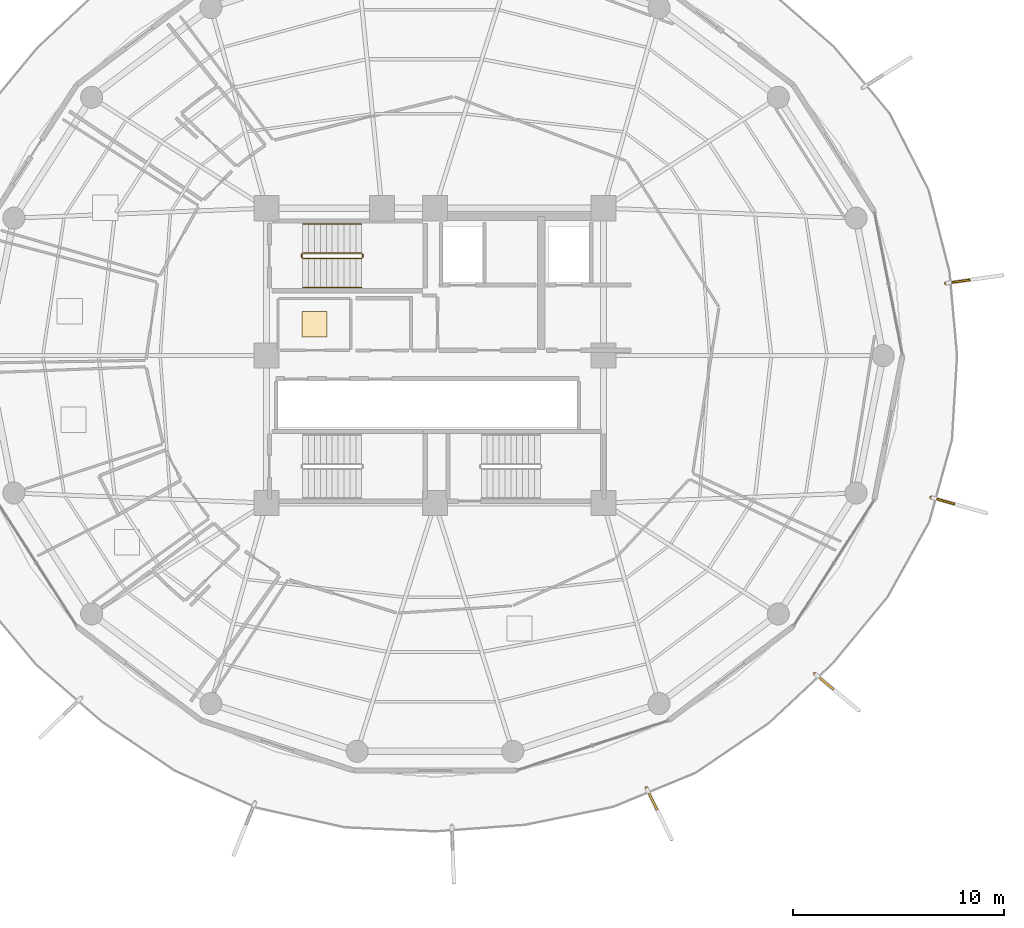
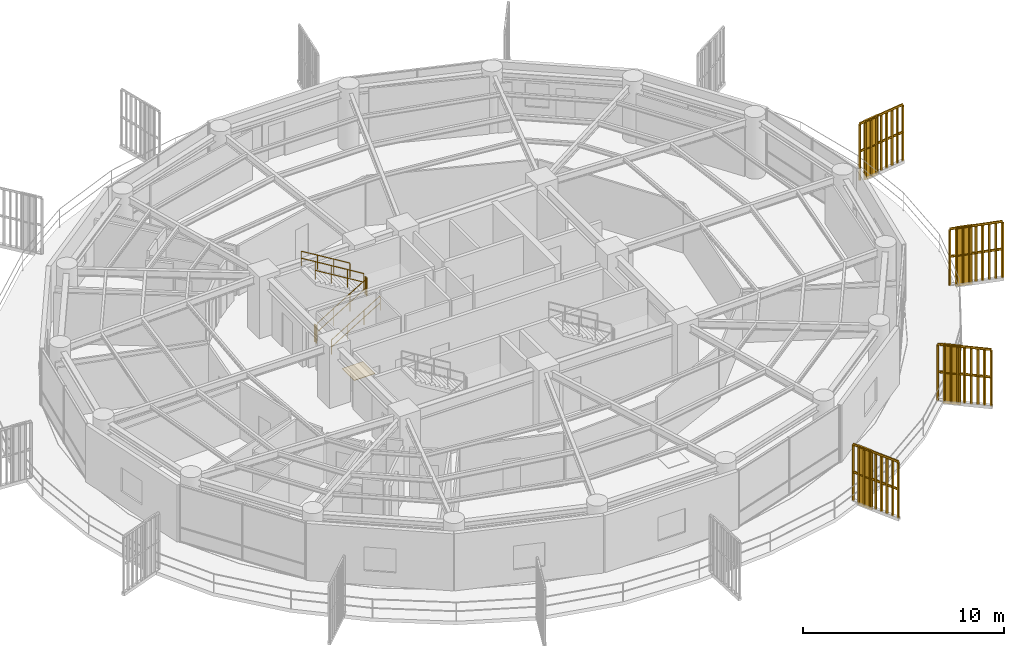
# One storey, part 29 of 30: 10 railings, 4 shading devices, 1 covering.
"""IFC4 building model written with IfcOpenShell, lengths in metres."""

import ifcopenshell
import ifcopenshell.guid

model = None  # the IFC model being written
_history = None  # IfcOwnerHistory: only IFC2X3 demands one
_inside = {}  # id of a spatial element -> (the spatial element, [elements in it])
_under = {}  # id of a project, library or spatial element -> (it, [spatial elements below it])
_declared = {}  # id of a project -> (the project, [libraries it declares])
_typed = {}  # id of a type object -> (the type object, [elements of that type])
_made_of = {}  # id of a material, layer set ... -> (it, [elements and type objects made of it])


def new_model(schema):
    """Start an empty IFC model of exactly this schema.

    Asked for "IFC4X3", IfcOpenShell would pick the latest addendum, in which some entities
    have other attributes; the version numbers below select the first issue.
    IFC2X3 requires an IfcOwnerHistory on every rooted entity: one is made here for all.
    """
    global model, _history
    if schema == "IFC4X3":
        model = ifcopenshell.file(schema_version=(4, 3, 0, 0))
    else:
        model = ifcopenshell.file(schema=schema)
    _inside.clear()
    _under.clear()
    _declared.clear()
    _typed.clear()
    _made_of.clear()
    _history = None
    if model.schema == "IFC2X3":
        org = make("IfcOrganization", Name="unknown")
        user = make(
            "IfcPersonAndOrganization",
            ThePerson=make("IfcPerson", FamilyName="unknown"),
            TheOrganization=org,
        )
        app = make(
            "IfcApplication",
            ApplicationDeveloper=org,
            Version="unknown",
            ApplicationFullName="unknown",
            ApplicationIdentifier="unknown",
        )
        _history = make(
            "IfcOwnerHistory",
            OwningUser=user,
            OwningApplication=app,
            ChangeAction="ADDED",
            CreationDate=0,
        )
    return model


def make(cls, **values):
    """One entity of the class cls with the attributes given. An attribute that is None is left unset."""
    return model.create_entity(
        cls, **{name: value for name, value in values.items() if value is not None}
    )


def rooted(cls, **values):
    """An entity with a GlobalId (a new one), such as an element, a storey or a relation."""
    return make(cls, GlobalId=ifcopenshell.guid.new(), OwnerHistory=_history, **values)


def si_unit(unit_type, name, prefix=None):
    """IfcSIUnit, for example si_unit("LENGTHUNIT", "METRE", prefix="MILLI")."""
    return make("IfcSIUnit", UnitType=unit_type, Prefix=prefix, Name=name)


def assignment(units):
    """IfcUnitAssignment: the units of a project."""
    return None if units is None else make("IfcUnitAssignment", Units=units)


def point(xyz):
    """IfcCartesianPoint."""
    return None if xyz is None else make("IfcCartesianPoint", Coordinates=xyz)


def direction(xyz):
    """IfcDirection."""
    return None if xyz is None else make("IfcDirection", DirectionRatios=xyz)


def frame(location, z_axis=None, x_axis=None):
    """IfcAxis2Placement3D, a coordinate frame: its origin and axes. An axis left out is left unset."""
    return make(
        "IfcAxis2Placement3D",
        Location=point(location),
        Axis=direction(z_axis),
        RefDirection=direction(x_axis),
    )


def frame_2d(location, x_axis=None):
    """IfcAxis2Placement2D, a coordinate frame in the plane: its origin and x axis."""
    return make(
        "IfcAxis2Placement2D", Location=point(location), RefDirection=direction(x_axis)
    )


def origin():
    """The frame at (0, 0, 0) with its axes left unset."""
    return frame((0.0, 0.0, 0.0))


def origin_2d():
    """The frame at (0, 0) in the plane with its x axis left unset."""
    return frame_2d((0.0, 0.0))


def place(relative_to, where):
    """IfcLocalPlacement: puts the frame where relative to a parent placement (None: the world)."""
    return make(
        "IfcLocalPlacement", PlacementRelTo=relative_to, RelativePlacement=where
    )


def context(
    kind, dimensions, precision=None, world=None, true_north=None, identifier=None
):
    """IfcGeometricRepresentationContext, for example the 3D "Model" context."""
    return make(
        "IfcGeometricRepresentationContext",
        ContextIdentifier=identifier,
        ContextType=kind,
        CoordinateSpaceDimension=dimensions,
        Precision=precision,
        WorldCoordinateSystem=world,
        TrueNorth=true_north,
    )


def subcontext(parent, identifier, kind, view, scale=None):
    """IfcGeometricRepresentationSubContext, for example "Body" below "Model"."""
    return make(
        "IfcGeometricRepresentationSubContext",
        ContextIdentifier=identifier,
        ContextType=kind,
        ParentContext=parent,
        TargetScale=scale,
        TargetView=view,
    )


def project(units=None, contexts=None):
    """IfcProject with its units and contexts."""
    return rooted(
        "IfcProject",
        Name="project",
        RepresentationContexts=contexts,
        UnitsInContext=assignment(units),
    )


def spatial(cls, under=None, at=None, **own):
    """A site, building, storey or space (cls), placed at a placement, below another one or the project."""
    s = rooted(cls, ObjectPlacement=at, **own)
    if under is not None:
        _under.setdefault(under.id(), (under, []))[1].append(s)
    return s


def polyline(points):
    """IfcPolyline through the points."""
    return make("IfcPolyline", Points=[point(p) for p in points])


def profile(cls, at=None, kind="AREA", **sizes):
    """A parametric profile (cls). Its sizes go by their IFC names, for example OverallWidth=200.0."""
    return make(cls, ProfileType=kind, Position=at, **sizes)


def rectangle(**sizes):
    """IfcRectangleProfileDef."""
    return profile("IfcRectangleProfileDef", **sizes)


def outline(outer, holes=None, kind="AREA"):
    """IfcArbitraryClosedProfileDef: a profile drawn as a closed curve; with holes, ...WithVoids."""
    if holes is None:
        return make("IfcArbitraryClosedProfileDef", ProfileType=kind, OuterCurve=outer)
    return make(
        "IfcArbitraryProfileDefWithVoids",
        ProfileType=kind,
        OuterCurve=outer,
        InnerCurves=holes,
    )


def extrude(swept, where, along, depth):
    """IfcExtrudedAreaSolid: the profile swept, set in the frame where, extruded along a direction by depth."""
    return make(
        "IfcExtrudedAreaSolid",
        SweptArea=swept,
        Position=where,
        ExtrudedDirection=direction(along),
        Depth=depth,
    )


def shape(context_of_items, identifier, shape_type, items):
    """IfcShapeRepresentation: the items that make up one representation, for example the "Body"."""
    return make(
        "IfcShapeRepresentation",
        ContextOfItems=context_of_items,
        RepresentationIdentifier=identifier,
        RepresentationType=shape_type,
        Items=items,
    )


def source(mapping_origin, context_of_items, identifier, shape_type, items):
    """IfcRepresentationMap: a shape defined once, which mapped items show again and again."""
    return make(
        "IfcRepresentationMap",
        MappingOrigin=mapping_origin,
        MappedRepresentation=shape(context_of_items, identifier, shape_type, items),
    )


def transform(
    local_origin,
    x_axis=None,
    y_axis=None,
    z_axis=None,
    scale=None,
    scale2=None,
    scale3=None,
    uniform=True,
):
    """IfcCartesianTransformationOperator3D, or its non-uniform kind. x_axis, y_axis, z_axis: its Axis1, 2, 3."""
    if uniform:
        return make(
            "IfcCartesianTransformationOperator3D",
            Axis1=direction(x_axis),
            Axis2=direction(y_axis),
            LocalOrigin=point(local_origin),
            Scale=scale,
            Axis3=direction(z_axis),
        )
    return make(
        "IfcCartesianTransformationOperator3DnonUniform",
        Axis1=direction(x_axis),
        Axis2=direction(y_axis),
        LocalOrigin=point(local_origin),
        Scale=scale,
        Axis3=direction(z_axis),
        Scale2=scale2,
        Scale3=scale3,
    )


def mapped(mapping_source, mapping_target):
    """IfcMappedItem: shows the shape of a source again, moved by a transform."""
    return make(
        "IfcMappedItem", MappingSource=mapping_source, MappingTarget=mapping_target
    )


def material(Name=None, Category=None):
    """IfcMaterial."""
    return make("IfcMaterial", Name=Name, Category=Category)


def layer(
    of_material, thickness, ventilated=None, Name=None, Category=None, Priority=None
):
    """IfcMaterialLayer: one layer of a wall or slab, of a material (None: an air gap)."""
    return make(
        "IfcMaterialLayer",
        Material=of_material,
        LayerThickness=thickness,
        IsVentilated=ventilated,
        Name=Name,
        Category=Category,
        Priority=Priority,
    )


def layer_set(layers, Name=None):
    """IfcMaterialLayerSet."""
    return make("IfcMaterialLayerSet", MaterialLayers=layers, LayerSetName=Name)


def made_of(thing, what):
    """Note that an element or type object is made of a material, layer set ...; save() writes the relation."""
    if what is not None:
        _made_of.setdefault(what.id(), (what, []))[1].append(thing)
    return thing


def type_object(cls, material=None, **own):
    """A type object (cls), such as IfcWallType, which elements share."""
    return made_of(rooted(cls, **own), material)


def element(
    cls,
    number,
    at=None,
    inside=None,
    cuts=None,
    type_object=None,
    material=None,
    context=None,
    identifier="Body",
    shape_type=None,
    held_by="IfcProductDefinitionShape",
    body=None,
    shapes=None,
    **own,
):
    """One element of the class cls, such as IfcWall. Its Tag is "e" and its number.

    at: its placement. inside: the storey or other place that contains it. cuts: it is an
    opening in that element (IfcRelVoidsElement). A single representation is given by context,
    identifier, shape_type and body (its items); several are given by shapes. held_by: the class
    of the entity that holds the representations. save() writes the other relations.
    """
    e = rooted(cls, Tag="e%d" % number, ObjectPlacement=at, **own)
    if body is not None:
        shapes = [shape(context, identifier, shape_type, body)]
    if shapes is not None:
        e.Representation = make(held_by, Representations=shapes)
    if inside is not None:
        _inside.setdefault(inside.id(), (inside, []))[1].append(e)
    if cuts is not None:
        rooted(
            "IfcRelVoidsElement", RelatingBuildingElement=cuts, RelatedOpeningElement=e
        )
    if type_object is not None:
        _typed.setdefault(type_object.id(), (type_object, []))[1].append(e)
    return made_of(e, material)


def aggregate(whole, parts):
    """IfcRelAggregates: a whole, such as a stair, and the parts it consists of."""
    return rooted("IfcRelAggregates", RelatingObject=whole, RelatedObjects=parts)


def save(model, path):
    """Write the relations noted so far, then the file.

    IfcRelAggregates (storeys below a building ...), IfcRelContainedInSpatialStructure (elements
    in a storey), IfcRelDefinesByType, IfcRelAssociatesMaterial and IfcRelDeclares: one each for
    every whole, place, type object, material and project.
    """
    for whole, parts in _under.values():
        aggregate(whole, parts)
    for where, things in _inside.values():
        rooted(
            "IfcRelContainedInSpatialStructure",
            RelatedElements=things,
            RelatingStructure=where,
        )
    for kind, things in _typed.values():
        rooted("IfcRelDefinesByType", RelatedObjects=things, RelatingType=kind)
    for what, things in _made_of.values():
        rooted("IfcRelAssociatesMaterial", RelatedObjects=things, RelatingMaterial=what)
    for by, libraries in _declared.values():
        rooted("IfcRelDeclares", RelatingContext=by, RelatedDefinitions=libraries)
    model.write(path)


model = new_model("IFC4")

# Units and contexts
model_context = context("Model", 3, precision=1e-05, world=origin(), true_north=direction((0.0, 1.0)))
body_context = subcontext(model_context, "Body", "Model", "MODEL_VIEW")
ifc_project = project(units=[si_unit("LENGTHUNIT", "METRE"), si_unit("AREAUNIT", "SQUARE_METRE"), si_unit("VOLUMEUNIT", "CUBIC_METRE"), si_unit("PLANEANGLEUNIT", "RADIAN"), si_unit("MASSUNIT", "GRAM", prefix="KILO")], contexts=[model_context])

# Site, building, storey
site_placement = place(None, origin())
site = spatial("IfcSite", under=ifc_project, at=site_placement, CompositionType="ELEMENT")
building_placement = place(site_placement, origin())
building = spatial("IfcBuilding", under=site, at=building_placement, Name="Kelanora Arch Commons", CompositionType="ELEMENT")
storey_placement = place(building_placement, frame((0.0, 0.0, 211.949951171875)))
storey = spatial("IfcBuildingStorey", under=building, at=storey_placement, Name="L54", CompositionType="ELEMENT", Elevation=211.949951171875)

# Railings
ifc_material_1 = material(Name="Anodised bronze vertical shading fin rib assembly")
railing_type_1 = type_object("IfcRailingType", Name="RAIL-FIN-BRZ", PredefinedType="BALUSTRADE", material=ifc_material_1)
railing_1_placement = place(storey_placement, frame((92.0380859375, 42.894287109375, -0.02001953125)))
element("IfcRailing", 1, at=railing_1_placement, inside=storey, type_object=railing_type_1, Name="Sweeping Bronze Vertical Fin Blade L54-00", PredefinedType="BALUSTRADE", context=body_context, shape_type="SweptSolid", body=[
    extrude(outline(polyline([(0.06982421875, 0.0), (0.034912109375, 0.060546875), (-0.034912109375, 0.060546875), (-0.06982421875, 0.0), (-0.034912109375, -0.060546875), (0.034912109375, -0.060546875), (0.06982421875, 0.0)])), frame((0.0, 0.0, 3.419921875), z_axis=(0.766616367494, -0.642105400297, 0.0), x_axis=(0.642105400297, 0.766616367494, 0.0)), (0.0, 0.0, 1.0), 2.709716796875),
    extrude(outline(polyline([(0.06982421875, 0.0), (0.034912109375, 0.060546875), (-0.034912109375, 0.060546875), (-0.06982421875, 0.0), (-0.034912109375, -0.060546875), (0.034912109375, -0.060546875), (0.06982421875, 0.0)])), frame((0.0, 0.0, 1.7451171875), z_axis=(0.766616367494, -0.642105400297, 0.0), x_axis=(0.642105400297, 0.766616367494, 0.0)), (0.0, 0.0, 1.0), 2.709716796875),
    extrude(outline(polyline([(0.080078125, 0.0), (0.0400390625, 0.0693359375), (-0.0400390625, 0.0693359375), (-0.080078125, 0.0), (-0.0400390625, -0.0693359375), (0.0400390625, -0.0693359375), (0.080078125, 0.0)])), origin(), (0.0, 0.0, 1.0), 3.35009765625),
    extrude(outline(polyline([(0.080078125, 0.0), (0.0400390625, 0.0693359375), (-0.0400390625, 0.0693359375), (-0.080078125, 0.0), (-0.0400390625, -0.0693359375), (0.0400390625, -0.0693359375), (0.080078125, 0.0)])), frame((0.259765625, -0.217529296875, 0.0)), (0.0, 0.0, 1.0), 3.35009765625),
    extrude(outline(polyline([(0.080078125, 0.0), (0.0400390625, 0.0693359375), (-0.0400390625, 0.0693359375), (-0.080078125, 0.0), (-0.0400390625, -0.0693359375), (0.0400390625, -0.0693359375), (0.080078125, 0.0)])), frame((0.519287109375, -0.43505859375, 0.0)), (0.0, 0.0, 1.0), 3.35009765625),
    extrude(outline(polyline([(0.080078125, 0.0), (0.0400390625, 0.0693359375), (-0.0400390625, 0.0693359375), (-0.080078125, 0.0), (-0.0400390625, -0.0693359375), (0.0400390625, -0.0693359375), (0.080078125, 0.0)])), frame((0.779052734375, -0.652587890625, 0.0)), (0.0, 0.0, 1.0), 3.35009765625),
    extrude(outline(polyline([(0.080078125, 0.0), (0.0400390625, 0.0693359375), (-0.0400390625, 0.0693359375), (-0.080078125, 0.0), (-0.0400390625, -0.0693359375), (0.0400390625, -0.0693359375), (0.080078125, 0.0)])), frame((1.03857421875, -0.8701171875, 0.0)), (0.0, 0.0, 1.0), 3.35009765625),
    extrude(outline(polyline([(0.080078125, 0.0), (0.0400390625, 0.0693359375), (-0.0400390625, 0.0693359375), (-0.080078125, 0.0), (-0.0400390625, -0.0693359375), (0.0400390625, -0.0693359375), (0.080078125, 0.0)])), frame((1.29833984375, -1.08740234375, 0.0)), (0.0, 0.0, 1.0), 3.35009765625),
    extrude(outline(polyline([(0.080078125, 0.0), (0.0400390625, 0.0693359375), (-0.0400390625, 0.0693359375), (-0.080078125, 0.0), (-0.0400390625, -0.0693359375), (0.0400390625, -0.0693359375), (0.080078125, 0.0)])), frame((1.55810546875, -1.304931640625, 0.0)), (0.0, 0.0, 1.0), 3.35009765625),
    extrude(outline(polyline([(0.080078125, 0.0), (0.0400390625, 0.0693359375), (-0.0400390625, 0.0693359375), (-0.080078125, 0.0), (-0.0400390625, -0.0693359375), (0.0400390625, -0.0693359375), (0.080078125, 0.0)])), frame((1.817626953125, -1.5224609375, 0.0)), (0.0, 0.0, 1.0), 3.35009765625),
    extrude(outline(polyline([(0.080078125, 0.0), (0.0400390625, 0.0693359375), (-0.0400390625, 0.0693359375), (-0.080078125, 0.0), (-0.0400390625, -0.0693359375), (0.0400390625, -0.0693359375), (0.080078125, 0.0)])), frame((2.077392578125, -1.739990234375, 0.0)), (0.0, 0.0, 1.0), 3.35009765625),
])
railing_2_placement = place(storey_placement, frame((97.558349609375, 51.26953125, -0.02001953125)))
element("IfcRailing", 2, at=railing_2_placement, inside=storey, type_object=railing_type_1, Name="Sweeping Bronze Vertical Fin Blade L54-01", PredefinedType="BALUSTRADE", context=body_context, shape_type="SweptSolid", body=[
    extrude(outline(polyline([(0.06982421875, 0.0), (0.034912109375, 0.060546875), (-0.034912109375, 0.060546875), (-0.06982421875, 0.0), (-0.034912109375, -0.060546875), (0.034912109375, -0.060546875), (0.06982421875, 0.0)])), frame((0.0, 0.0, 3.419921875), z_axis=(0.961534145884, -0.274685431538, 0.0), x_axis=(0.274685431538, 0.961534145884, 0.0)), (0.0, 0.0, 1.0), 2.7099609375),
    extrude(outline(polyline([(0.06982421875, 0.0), (0.034912109375, 0.060546875), (-0.034912109375, 0.060546875), (-0.06982421875, 0.0), (-0.034912109375, -0.060546875), (0.034912109375, -0.060546875), (0.06982421875, 0.0)])), frame((0.0, 0.0, 1.7451171875), z_axis=(0.961534145884, -0.274685431538, 0.0), x_axis=(0.274685431538, 0.961534145884, 0.0)), (0.0, 0.0, 1.0), 2.7099609375),
    extrude(outline(polyline([(0.080078125, 0.0), (0.0400390625, 0.0693359375), (-0.0400390625, 0.0693359375), (-0.080078125, 0.0), (-0.0400390625, -0.0693359375), (0.0400390625, -0.0693359375), (0.080078125, 0.0)])), origin(), (0.0, 0.0, 1.0), 3.35009765625),
    extrude(outline(polyline([(0.080078125, 0.0), (0.0400390625, 0.0693359375), (-0.0400390625, 0.0693359375), (-0.080078125, 0.0), (-0.0400390625, -0.0693359375), (0.0400390625, -0.0693359375), (0.080078125, 0.0)])), frame((0.32568359375, -0.093017578125, 0.0)), (0.0, 0.0, 1.0), 3.35009765625),
    extrude(outline(polyline([(0.080078125, 0.0), (0.0400390625, 0.0693359375), (-0.0400390625, 0.0693359375), (-0.080078125, 0.0), (-0.0400390625, -0.0693359375), (0.0400390625, -0.0693359375), (0.080078125, 0.0)])), frame((0.6513671875, -0.18603515625, 0.0)), (0.0, 0.0, 1.0), 3.35009765625),
    extrude(outline(polyline([(0.080078125, 0.0), (0.0400390625, 0.0693359375), (-0.0400390625, 0.0693359375), (-0.080078125, 0.0), (-0.0400390625, -0.0693359375), (0.0400390625, -0.0693359375), (0.080078125, 0.0)])), frame((0.97705078125, -0.279052734375, 0.0)), (0.0, 0.0, 1.0), 3.35009765625),
    extrude(outline(polyline([(0.080078125, 0.0), (0.0400390625, 0.0693359375), (-0.0400390625, 0.0693359375), (-0.080078125, 0.0), (-0.0400390625, -0.0693359375), (0.0400390625, -0.0693359375), (0.080078125, 0.0)])), frame((1.302734375, -0.3720703125, 0.0)), (0.0, 0.0, 1.0), 3.35009765625),
    extrude(outline(polyline([(0.080078125, 0.0), (0.0400390625, 0.0693359375), (-0.0400390625, 0.0693359375), (-0.080078125, 0.0), (-0.0400390625, -0.0693359375), (0.0400390625, -0.0693359375), (0.080078125, 0.0)])), frame((1.628662109375, -0.46533203125, 0.0)), (0.0, 0.0, 1.0), 3.35009765625),
    extrude(outline(polyline([(0.080078125, 0.0), (0.0400390625, 0.0693359375), (-0.0400390625, 0.0693359375), (-0.080078125, 0.0), (-0.0400390625, -0.0693359375), (0.0400390625, -0.0693359375), (0.080078125, 0.0)])), frame((1.954345703125, -0.558349609375, 0.0)), (0.0, 0.0, 1.0), 3.35009765625),
    extrude(outline(polyline([(0.080078125, 0.0), (0.0400390625, 0.0693359375), (-0.0400390625, 0.0693359375), (-0.080078125, 0.0), (-0.0400390625, -0.0693359375), (0.0400390625, -0.0693359375), (0.080078125, 0.0)])), frame((2.280029296875, -0.6513671875, 0.0)), (0.0, 0.0, 1.0), 3.35009765625),
    extrude(outline(polyline([(0.080078125, 0.0), (0.0400390625, 0.0693359375), (-0.0400390625, 0.0693359375), (-0.080078125, 0.0), (-0.0400390625, -0.0693359375), (0.0400390625, -0.0693359375), (0.080078125, 0.0)])), frame((2.605712890625, -0.744384765625, 0.0)), (0.0, 0.0, 1.0), 3.35009765625),
])
railing_3_placement = place(storey_placement, frame((98.255615234375, 61.43310546875, -0.02001953125)))
element("IfcRailing", 3, at=railing_3_placement, inside=storey, type_object=railing_type_1, Name="Sweeping Bronze Vertical Fin Blade L54-02", PredefinedType="BALUSTRADE", context=body_context, shape_type="SweptSolid", body=[
    extrude(outline(polyline([(0.06982421875, 0.0), (0.034912109375, 0.060546875), (-0.034912109375, 0.060546875), (-0.06982421875, 0.0), (-0.034912109375, -0.060546875), (0.034912109375, -0.060546875), (0.06982421875, 0.0)])), frame((0.0, 0.0, 3.419921875), z_axis=(0.990137806062, 0.140096841531, 0.0), x_axis=(-0.140096841531, 0.990137806062, 0.0)), (0.0, 0.0, 1.0), 2.709716796875),
    extrude(outline(polyline([(0.06982421875, 0.0), (0.034912109375, 0.060546875), (-0.034912109375, 0.060546875), (-0.06982421875, 0.0), (-0.034912109375, -0.060546875), (0.034912109375, -0.060546875), (0.06982421875, 0.0)])), frame((0.0, 0.0, 1.7451171875), z_axis=(0.990137806062, 0.140096841531, 0.0), x_axis=(-0.140096841531, 0.990137806062, 0.0)), (0.0, 0.0, 1.0), 2.709716796875),
    extrude(outline(polyline([(0.080078125, 0.0), (0.0400390625, 0.0693359375), (-0.0400390625, 0.0693359375), (-0.080078125, 0.0), (-0.0400390625, -0.0693359375), (0.0400390625, -0.0693359375), (0.080078125, 0.0)])), origin(), (0.0, 0.0, 1.0), 3.35009765625),
    extrude(outline(polyline([(0.080078125, 0.0), (0.0400390625, 0.0693359375), (-0.0400390625, 0.0693359375), (-0.080078125, 0.0), (-0.0400390625, -0.0693359375), (0.0400390625, -0.0693359375), (0.080078125, 0.0)])), frame((0.33544921875, 0.04736328125, 0.0)), (0.0, 0.0, 1.0), 3.35009765625),
    extrude(outline(polyline([(0.080078125, 0.0), (0.0400390625, 0.0693359375), (-0.0400390625, 0.0693359375), (-0.080078125, 0.0), (-0.0400390625, -0.0693359375), (0.0400390625, -0.0693359375), (0.080078125, 0.0)])), frame((0.6708984375, 0.094970703125, 0.0)), (0.0, 0.0, 1.0), 3.35009765625),
    extrude(outline(polyline([(0.080078125, 0.0), (0.0400390625, 0.0693359375), (-0.0400390625, 0.0693359375), (-0.080078125, 0.0), (-0.0400390625, -0.0693359375), (0.0400390625, -0.0693359375), (0.080078125, 0.0)])), frame((1.006103515625, 0.142333984375, 0.0)), (0.0, 0.0, 1.0), 3.35009765625),
    extrude(outline(polyline([(0.080078125, 0.0), (0.0400390625, 0.0693359375), (-0.0400390625, 0.0693359375), (-0.080078125, 0.0), (-0.0400390625, -0.0693359375), (0.0400390625, -0.0693359375), (0.080078125, 0.0)])), frame((1.341552734375, 0.18994140625, 0.0)), (0.0, 0.0, 1.0), 3.35009765625),
    extrude(outline(polyline([(0.080078125, 0.0), (0.0400390625, 0.0693359375), (-0.0400390625, 0.0693359375), (-0.080078125, 0.0), (-0.0400390625, -0.0693359375), (0.0400390625, -0.0693359375), (0.080078125, 0.0)])), frame((1.677001953125, 0.2373046875, 0.0)), (0.0, 0.0, 1.0), 3.35009765625),
    extrude(outline(polyline([(0.080078125, 0.0), (0.0400390625, 0.0693359375), (-0.0400390625, 0.0693359375), (-0.080078125, 0.0), (-0.0400390625, -0.0693359375), (0.0400390625, -0.0693359375), (0.080078125, 0.0)])), frame((2.01220703125, 0.28466796875, 0.0)), (0.0, 0.0, 1.0), 3.35009765625),
    extrude(outline(polyline([(0.080078125, 0.0), (0.0400390625, 0.0693359375), (-0.0400390625, 0.0693359375), (-0.080078125, 0.0), (-0.0400390625, -0.0693359375), (0.0400390625, -0.0693359375), (0.080078125, 0.0)])), frame((2.34765625, 0.332275390625, 0.0)), (0.0, 0.0, 1.0), 3.35009765625),
    extrude(outline(polyline([(0.080078125, 0.0), (0.0400390625, 0.0693359375), (-0.0400390625, 0.0693359375), (-0.080078125, 0.0), (-0.0400390625, -0.0693359375), (0.0400390625, -0.0693359375), (0.080078125, 0.0)])), frame((2.68310546875, 0.379638671875, 0.0)), (0.0, 0.0, 1.0), 3.35009765625),
])
railing_4_placement = place(storey_placement, frame((84.0390625, 37.4677734375, -0.02001953125)))
element("IfcRailing", 4, at=railing_4_placement, inside=storey, type_object=railing_type_1, Name="Sweeping Bronze Vertical Fin Blade L54-14", PredefinedType="BALUSTRADE", context=body_context, shape_type="SweptSolid", body=[
    extrude(outline(polyline([(0.06982421875, 0.0), (0.034912109375, 0.060546875), (-0.034912109375, 0.060546875), (-0.06982421875, 0.0), (-0.034912109375, -0.060546875), (0.034912109375, -0.060546875), (0.06982421875, 0.0)])), frame((0.0, 0.0, 3.419921875), z_axis=(0.4392682986, -0.898355921584, 0.0), x_axis=(0.898355921584, 0.4392682986, 0.0)), (0.0, 0.0, 1.0), 2.7099609375),
    extrude(outline(polyline([(0.06982421875, 0.0), (0.034912109375, 0.060546875), (-0.034912109375, 0.060546875), (-0.06982421875, 0.0), (-0.034912109375, -0.060546875), (0.034912109375, -0.060546875), (0.06982421875, 0.0)])), frame((0.0, 0.0, 1.7451171875), z_axis=(0.4392682986, -0.898355921584, 0.0), x_axis=(0.898355921584, 0.4392682986, 0.0)), (0.0, 0.0, 1.0), 2.7099609375),
    extrude(outline(polyline([(0.080078125, 0.0), (0.0400390625, 0.0693359375), (-0.0400390625, 0.0693359375), (-0.080078125, 0.0), (-0.0400390625, -0.0693359375), (0.0400390625, -0.0693359375), (0.080078125, 0.0)])), origin(), (0.0, 0.0, 1.0), 3.35009765625),
    extrude(outline(polyline([(0.080078125, 0.0), (0.0400390625, 0.0693359375), (-0.0400390625, 0.0693359375), (-0.080078125, 0.0), (-0.0400390625, -0.0693359375), (0.0400390625, -0.0693359375), (0.080078125, 0.0)])), frame((0.14892578125, -0.30419921875, 0.0)), (0.0, 0.0, 1.0), 3.35009765625),
    extrude(outline(polyline([(0.080078125, 0.0), (0.0400390625, 0.0693359375), (-0.0400390625, 0.0693359375), (-0.080078125, 0.0), (-0.0400390625, -0.0693359375), (0.0400390625, -0.0693359375), (0.080078125, 0.0)])), frame((0.297607421875, -0.608642578125, 0.0)), (0.0, 0.0, 1.0), 3.35009765625),
    extrude(outline(polyline([(0.080078125, 0.0), (0.0400390625, 0.0693359375), (-0.0400390625, 0.0693359375), (-0.080078125, 0.0), (-0.0400390625, -0.0693359375), (0.0400390625, -0.0693359375), (0.080078125, 0.0)])), frame((0.4462890625, -0.9130859375, 0.0)), (0.0, 0.0, 1.0), 3.35009765625),
    extrude(outline(polyline([(0.080078125, 0.0), (0.0400390625, 0.0693359375), (-0.0400390625, 0.0693359375), (-0.080078125, 0.0), (-0.0400390625, -0.0693359375), (0.0400390625, -0.0693359375), (0.080078125, 0.0)])), frame((0.59521484375, -1.21728515625, 0.0)), (0.0, 0.0, 1.0), 3.35009765625),
    extrude(outline(polyline([(0.080078125, 0.0), (0.0400390625, 0.0693359375), (-0.0400390625, 0.0693359375), (-0.080078125, 0.0), (-0.0400390625, -0.0693359375), (0.0400390625, -0.0693359375), (0.080078125, 0.0)])), frame((0.744140625, -1.521484375, 0.0)), (0.0, 0.0, 1.0), 3.35009765625),
    extrude(outline(polyline([(0.080078125, 0.0), (0.0400390625, 0.0693359375), (-0.0400390625, 0.0693359375), (-0.080078125, 0.0), (-0.0400390625, -0.0693359375), (0.0400390625, -0.0693359375), (0.080078125, 0.0)])), frame((0.892822265625, -1.825927734375, 0.0)), (0.0, 0.0, 1.0), 3.35009765625),
    extrude(outline(polyline([(0.080078125, 0.0), (0.0400390625, 0.0693359375), (-0.0400390625, 0.0693359375), (-0.080078125, 0.0), (-0.0400390625, -0.0693359375), (0.0400390625, -0.0693359375), (0.080078125, 0.0)])), frame((1.04150390625, -2.13037109375, 0.0)), (0.0, 0.0, 1.0), 3.35009765625),
    extrude(outline(polyline([(0.080078125, 0.0), (0.0400390625, 0.0693359375), (-0.0400390625, 0.0693359375), (-0.080078125, 0.0), (-0.0400390625, -0.0693359375), (0.0400390625, -0.0693359375), (0.080078125, 0.0)])), frame((1.1904296875, -2.4345703125, 0.0)), (0.0, 0.0, 1.0), 3.35009765625),
])
ifc_material_2 = material(Name="Painted steel stair well guard", Category="steel")
railing_type_2 = type_object("IfcRailingType", Name="RAIL-STAIR-GRD", PredefinedType="GUARDRAIL", material=ifc_material_2)
railing_5_placement = place(storey_placement, frame((67.719970703125, 62.610107421875, 0.17041015625)))
element("IfcRailing", 5, at=railing_5_placement, inside=storey, type_object=railing_type_2, Name="L54 ST-T1 stair guard 1", PredefinedType="GUARDRAIL", context=body_context, shape_type="SweptSolid", body=[
    extrude(outline(polyline([(0.02392578125, 0.0), (0.011962890625, 0.020751953125), (-0.011962890625, 0.020751953125), (-0.02392578125, 0.0), (-0.011962890625, -0.020751953125), (0.011962890625, -0.020751953125), (0.02392578125, 0.0)])), frame((0.0, 0.0, 1.076171875), z_axis=(0.854169791009, 0.0, 0.51999420009), x_axis=(0.0, 1.0, 0.0)), (0.0, 0.0, 1.0), 3.278076171875),
    extrude(outline(polyline([(0.02392578125, 0.0), (0.011962890625, 0.020751953125), (-0.011962890625, 0.020751953125), (-0.02392578125, 0.0), (-0.011962890625, -0.020751953125), (0.011962890625, -0.020751953125), (0.02392578125, 0.0)])), frame((0.0, 0.0, 0.550048828125), z_axis=(0.854169791009, 0.0, 0.51999420009), x_axis=(0.0, 1.0, 0.0)), (0.0, 0.0, 1.0), 3.278076171875),
    extrude(outline(polyline([(0.02099609375, 0.0), (0.010498046875, 0.01806640625), (-0.010498046875, 0.01806640625), (-0.02099609375, 0.0), (-0.010498046875, -0.01806640625), (0.010498046875, -0.01806640625), (0.02099609375, 0.0)])), origin(), (0.0, 0.0, 1.0), 1.052001953125),
    extrude(outline(polyline([(0.02099609375, 0.0), (0.010498046875, 0.01806640625), (-0.010498046875, 0.01806640625), (-0.02099609375, 0.0), (-0.010498046875, -0.01806640625), (0.010498046875, -0.01806640625), (0.02099609375, 0.0)])), frame((0.933349609375, 0.0, 0.568115234375)), (0.0, 0.0, 1.0), 1.052001953125),
    extrude(outline(polyline([(0.02099609375, 0.0), (0.010498046875, 0.01806640625), (-0.010498046875, 0.01806640625), (-0.02099609375, 0.0), (-0.010498046875, -0.01806640625), (0.010498046875, -0.01806640625), (0.02099609375, 0.0)])), frame((1.86669921875, 0.0, 1.136474609375)), (0.0, 0.0, 1.0), 1.052001953125),
    extrude(outline(polyline([(0.02099609375, 0.0), (0.010498046875, 0.01806640625), (-0.010498046875, 0.01806640625), (-0.02099609375, 0.0), (-0.010498046875, -0.01806640625), (0.010498046875, -0.01806640625), (0.02099609375, 0.0)])), frame((2.800048828125, 0.0, 1.70458984375)), (0.0, 0.0, 1.0), 1.052001953125),
])
railing_6_placement = place(storey_placement, frame((70.570068359375, 62.659912109375, 1.875)))
element("IfcRailing", 6, at=railing_6_placement, inside=storey, type_object=railing_type_2, Name="L54 ST-T1 stair guard 2", PredefinedType="GUARDRAIL", context=body_context, shape_type="SweptSolid", body=[
    extrude(outline(polyline([(0.02392578125, 0.0), (0.011962890625, 0.020751953125), (-0.011962890625, 0.020751953125), (-0.02392578125, 0.0), (-0.011962890625, -0.020751953125), (0.011962890625, -0.020751953125), (0.02392578125, 0.0)])), frame((0.0, 0.0, 1.076171875), z_axis=(0.0, 1.0, 0.0), x_axis=(-1.0, 0.0, 0.0)), (0.0, 0.0, 1.0), 0.150146484375),
    extrude(outline(polyline([(0.02392578125, 0.0), (0.011962890625, 0.020751953125), (-0.011962890625, 0.020751953125), (-0.02392578125, 0.0), (-0.011962890625, -0.020751953125), (0.011962890625, -0.020751953125), (0.02392578125, 0.0)])), frame((0.0, 0.0, 0.550048828125), z_axis=(0.0, 1.0, 0.0), x_axis=(-1.0, 0.0, 0.0)), (0.0, 0.0, 1.0), 0.150146484375),
    extrude(outline(polyline([(0.02099609375, 0.0), (0.010498046875, 0.01806640625), (-0.010498046875, 0.01806640625), (-0.02099609375, 0.0), (-0.010498046875, -0.01806640625), (0.010498046875, -0.01806640625), (0.02099609375, 0.0)])), origin(), (0.0, 0.0, 1.0), 1.052001953125),
    extrude(outline(polyline([(0.02099609375, 0.0), (0.010498046875, 0.01806640625), (-0.010498046875, 0.01806640625), (-0.02099609375, 0.0), (-0.010498046875, -0.01806640625), (0.010498046875, -0.01806640625), (0.02099609375, 0.0)])), frame((0.0, 0.150146484375, 0.0)), (0.0, 0.0, 1.0), 1.052001953125),
])
railing_7_placement = place(storey_placement, frame((70.52001953125, 62.860107421875, 2.04541015625)))
element("IfcRailing", 7, at=railing_7_placement, inside=storey, type_object=railing_type_2, Name="L54 ST-T1 stair guard 3", PredefinedType="GUARDRAIL", context=body_context, shape_type="SweptSolid", body=[
    extrude(outline(polyline([(0.02392578125, 0.0), (0.011962890625, 0.020751953125), (-0.011962890625, 0.020751953125), (-0.02392578125, 0.0), (-0.011962890625, -0.020751953125), (0.011962890625, -0.020751953125), (0.02392578125, 0.0)])), frame((0.0, 0.0, 1.076171875), z_axis=(-0.854169791009, 0.0, 0.51999420009), x_axis=(0.0, -1.0, 0.0)), (0.0, 0.0, 1.0), 3.278076171875),
    extrude(outline(polyline([(0.02392578125, 0.0), (0.011962890625, 0.020751953125), (-0.011962890625, 0.020751953125), (-0.02392578125, 0.0), (-0.011962890625, -0.020751953125), (0.011962890625, -0.020751953125), (0.02392578125, 0.0)])), frame((0.0, 0.0, 0.550048828125), z_axis=(-0.854169791009, 0.0, 0.51999420009), x_axis=(0.0, -1.0, 0.0)), (0.0, 0.0, 1.0), 3.278076171875),
    extrude(outline(polyline([(0.02099609375, 0.0), (0.010498046875, 0.01806640625), (-0.010498046875, 0.01806640625), (-0.02099609375, 0.0), (-0.010498046875, -0.01806640625), (0.010498046875, -0.01806640625), (0.02099609375, 0.0)])), origin(), (0.0, 0.0, 1.0), 1.052001953125),
    extrude(outline(polyline([(0.02099609375, 0.0), (0.010498046875, 0.01806640625), (-0.010498046875, 0.01806640625), (-0.02099609375, 0.0), (-0.010498046875, -0.01806640625), (0.010498046875, -0.01806640625), (0.02099609375, 0.0)])), frame((-0.933349609375, 0.0, 0.568115234375)), (0.0, 0.0, 1.0), 1.052001953125),
    extrude(outline(polyline([(0.02099609375, 0.0), (0.010498046875, 0.01806640625), (-0.010498046875, 0.01806640625), (-0.02099609375, 0.0), (-0.010498046875, -0.01806640625), (0.010498046875, -0.01806640625), (0.02099609375, 0.0)])), frame((-1.86669921875, 0.0, 1.136474609375)), (0.0, 0.0, 1.0), 1.052001953125),
    extrude(outline(polyline([(0.02099609375, 0.0), (0.010498046875, 0.01806640625), (-0.010498046875, 0.01806640625), (-0.02099609375, 0.0), (-0.010498046875, -0.01806640625), (0.010498046875, -0.01806640625), (0.02099609375, 0.0)])), frame((-2.800048828125, 0.0, 1.70458984375)), (0.0, 0.0, 1.0), 1.052001953125),
])
railing_8_placement = place(storey_placement, frame((67.669921875, 62.659912109375, 0.0)))
element("IfcRailing", 8, at=railing_8_placement, inside=storey, type_object=railing_type_2, Name="L54 ST-T1 stair guard 4", PredefinedType="GUARDRAIL", context=body_context, shape_type="SweptSolid", body=[
    extrude(outline(polyline([(0.02392578125, 0.0), (0.011962890625, 0.020751953125), (-0.011962890625, 0.020751953125), (-0.02392578125, 0.0), (-0.011962890625, -0.020751953125), (0.011962890625, -0.020751953125), (0.02392578125, 0.0)])), frame((0.0, 0.0, 1.076171875), z_axis=(0.0, 1.0, 0.0), x_axis=(-1.0, 0.0, 0.0)), (0.0, 0.0, 1.0), 0.150146484375),
    extrude(outline(polyline([(0.02392578125, 0.0), (0.011962890625, 0.020751953125), (-0.011962890625, 0.020751953125), (-0.02392578125, 0.0), (-0.011962890625, -0.020751953125), (0.011962890625, -0.020751953125), (0.02392578125, 0.0)])), frame((0.0, 0.0, 0.550048828125), z_axis=(0.0, 1.0, 0.0), x_axis=(-1.0, 0.0, 0.0)), (0.0, 0.0, 1.0), 0.150146484375),
    extrude(outline(polyline([(0.02099609375, 0.0), (0.010498046875, 0.01806640625), (-0.010498046875, 0.01806640625), (-0.02099609375, 0.0), (-0.010498046875, -0.01806640625), (0.010498046875, -0.01806640625), (0.02099609375, 0.0)])), origin(), (0.0, 0.0, 1.0), 1.052001953125),
    extrude(outline(polyline([(0.02099609375, 0.0), (0.010498046875, 0.01806640625), (-0.010498046875, 0.01806640625), (-0.02099609375, 0.0), (-0.010498046875, -0.01806640625), (0.010498046875, -0.01806640625), (0.02099609375, 0.0)])), frame((0.0, 0.150146484375, 0.0)), (0.0, 0.0, 1.0), 1.052001953125),
])
ifc_material_3 = material(Name="Brushed stainless steel stair handrail", Category="steel")
railing_type_3 = type_object("IfcRailingType", Name="RAIL-STAIR-HND", PredefinedType="HANDRAIL", material=ifc_material_3)
railing_9_placement = place(storey_placement, frame((67.719970703125, 61.22998046875, 0.17041015625)))
element("IfcRailing", 9, at=railing_9_placement, inside=storey, type_object=railing_type_3, Name="L54 ST-T1 stair handrail 1", PredefinedType="HANDRAIL", context=body_context, shape_type="SweptSolid", body=[
    extrude(outline(polyline([(0.02392578125, 0.0), (0.011962890625, 0.020751953125), (-0.011962890625, 0.020751953125), (-0.02392578125, 0.0), (-0.011962890625, -0.020751953125), (0.011962890625, -0.020751953125), (0.02392578125, 0.0)])), frame((0.0, 0.0, 0.8759765625), z_axis=(0.854169791009, 0.0, 0.51999420009), x_axis=(0.0, 1.0, 0.0)), (0.0, 0.0, 1.0), 3.278076171875),
    extrude(outline(polyline([(0.02392578125, 0.0), (0.011962890625, 0.020751953125), (-0.011962890625, 0.020751953125), (-0.02392578125, 0.0), (-0.011962890625, -0.020751953125), (0.011962890625, -0.020751953125), (0.02392578125, 0.0)])), frame((0.0, 0.0, 0.449951171875), z_axis=(0.854169791009, 0.0, 0.51999420009), x_axis=(0.0, 1.0, 0.0)), (0.0, 0.0, 1.0), 3.278076171875),
    extrude(outline(polyline([(0.02099609375, 0.0), (0.010498046875, 0.01806640625), (-0.010498046875, 0.01806640625), (-0.02099609375, 0.0), (-0.010498046875, -0.01806640625), (0.010498046875, -0.01806640625), (0.02099609375, 0.0)])), origin(), (0.0, 0.0, 1.0), 0.851806640625),
    extrude(outline(polyline([(0.02099609375, 0.0), (0.010498046875, 0.01806640625), (-0.010498046875, 0.01806640625), (-0.02099609375, 0.0), (-0.010498046875, -0.01806640625), (0.010498046875, -0.01806640625), (0.02099609375, 0.0)])), frame((0.933349609375, 0.0, 0.568115234375)), (0.0, 0.0, 1.0), 0.851806640625),
    extrude(outline(polyline([(0.02099609375, 0.0), (0.010498046875, 0.01806640625), (-0.010498046875, 0.01806640625), (-0.02099609375, 0.0), (-0.010498046875, -0.01806640625), (0.010498046875, -0.01806640625), (0.02099609375, 0.0)])), frame((1.86669921875, 0.0, 1.136474609375)), (0.0, 0.0, 1.0), 0.851806640625),
    extrude(outline(polyline([(0.02099609375, 0.0), (0.010498046875, 0.01806640625), (-0.010498046875, 0.01806640625), (-0.02099609375, 0.0), (-0.010498046875, -0.01806640625), (0.010498046875, -0.01806640625), (0.02099609375, 0.0)])), frame((2.800048828125, 0.0, 1.70458984375)), (0.0, 0.0, 1.0), 0.851806640625),
])
railing_10_placement = place(storey_placement, frame((70.52001953125, 64.239990234375, 2.04541015625)))
element("IfcRailing", 10, at=railing_10_placement, inside=storey, type_object=railing_type_3, Name="L54 ST-T1 stair handrail 2", PredefinedType="HANDRAIL", context=body_context, shape_type="SweptSolid", body=[
    extrude(outline(polyline([(0.02392578125, 0.0), (0.011962890625, 0.020751953125), (-0.011962890625, 0.020751953125), (-0.02392578125, 0.0), (-0.011962890625, -0.020751953125), (0.011962890625, -0.020751953125), (0.02392578125, 0.0)])), frame((0.0, 0.0, 0.8759765625), z_axis=(-0.854169791009, 0.0, 0.51999420009), x_axis=(0.0, -1.0, 0.0)), (0.0, 0.0, 1.0), 3.278076171875),
    extrude(outline(polyline([(0.02392578125, 0.0), (0.011962890625, 0.020751953125), (-0.011962890625, 0.020751953125), (-0.02392578125, 0.0), (-0.011962890625, -0.020751953125), (0.011962890625, -0.020751953125), (0.02392578125, 0.0)])), frame((0.0, 0.0, 0.449951171875), z_axis=(-0.854169791009, 0.0, 0.51999420009), x_axis=(0.0, -1.0, 0.0)), (0.0, 0.0, 1.0), 3.278076171875),
    extrude(outline(polyline([(0.02099609375, 0.0), (0.010498046875, 0.01806640625), (-0.010498046875, 0.01806640625), (-0.02099609375, 0.0), (-0.010498046875, -0.01806640625), (0.010498046875, -0.01806640625), (0.02099609375, 0.0)])), origin(), (0.0, 0.0, 1.0), 0.851806640625),
    extrude(outline(polyline([(0.02099609375, 0.0), (0.010498046875, 0.01806640625), (-0.010498046875, 0.01806640625), (-0.02099609375, 0.0), (-0.010498046875, -0.01806640625), (0.010498046875, -0.01806640625), (0.02099609375, 0.0)])), frame((-0.933349609375, 0.0, 0.568115234375)), (0.0, 0.0, 1.0), 0.851806640625),
    extrude(outline(polyline([(0.02099609375, 0.0), (0.010498046875, 0.01806640625), (-0.010498046875, 0.01806640625), (-0.02099609375, 0.0), (-0.010498046875, -0.01806640625), (0.010498046875, -0.01806640625), (0.02099609375, 0.0)])), frame((-1.86669921875, 0.0, 1.136474609375)), (0.0, 0.0, 1.0), 0.851806640625),
    extrude(outline(polyline([(0.02099609375, 0.0), (0.010498046875, 0.01806640625), (-0.010498046875, 0.01806640625), (-0.02099609375, 0.0), (-0.010498046875, -0.01806640625), (0.010498046875, -0.01806640625), (0.02099609375, 0.0)])), frame((-2.800048828125, 0.0, 1.70458984375)), (0.0, 0.0, 1.0), 0.851806640625),
])

# Shading devices
ifc_material_4 = material(Name="Terracotta ceramic-clad extruded aluminium fin", Category="masonry")
shading_device_type = type_object("IfcShadingDeviceType", Name="SHD-FIN-FLARE", PredefinedType="USERDEFINED", material=ifc_material_4)
shared_shape_1 = source(origin(), body_context, "Body", "SweptSolid", [
    extrude(rectangle(XDim=0.8798828125, YDim=0.090087890625, at=origin_2d()), origin(), (0.0, 0.0, 1.0), 3.610107421875),
])
for number, where, z_axis, x_axis, name in (
    (11, (92.590087890625, 42.431884765625, -0.14013671875), (0.0, 0.0, 1.0), (0.766717148576, -0.641985057521, 0.0), "Sweeping Terracotta Fin L54-00"),
    (12, (98.250732421875, 51.072021484375, -0.14013671875), (0.0, 0.0, 1.0), (0.961549815579, -0.274630573972, 0.0), "Sweeping Terracotta Fin L54-01"),
    (13, (98.968505859375, 61.533935546875, -0.14013671875), (0.0, 0.0, 1.0), (0.990121784063, 0.140210030757, 0.0), "Sweeping Terracotta Fin L54-02"),
    (14, (84.35546875, 36.82080078125, -0.14013671875), (0.0, 0.0, 1.0), (0.439312121178, -0.898334492373, 0.0), "Sweeping Terracotta Fin L54-14"),
):
    element("IfcShadingDevice", number, at=place(storey_placement, frame(where, z_axis=z_axis, x_axis=x_axis)), inside=storey, type_object=shading_device_type, Name=name, ObjectType="FIN", PredefinedType="USERDEFINED", context=body_context, shape_type="MappedRepresentation", body=[
        mapped(shared_shape_1, transform((0.0, 0.0, 0.0), scale=1.0)),
    ])

# Covering
ifc_material_5 = material(Name="Polished local granite terrazzo flooring", Category="masonry")
ifc_layer = layer(ifc_material_5, 0.030029296875)
ifc_layer_set = layer_set([ifc_layer], Name="Polished local granite terrazzo flooring")
covering_type = type_object("IfcCoveringType", Name="COV-FLR-TER", PredefinedType="FLOORING", material=ifc_layer_set)
shared_shape_2 = source(origin(), body_context, "Body", "SweptSolid", [
    extrude(rectangle(XDim=1.199951171875, YDim=1.199951171875, at=origin_2d()), origin(), (0.0, 0.0, 1.0), 0.030029296875),
])
covering_placement = place(storey_placement, frame((68.27490234375, 59.485107421875, 0.0), z_axis=(0.0, 0.0, 1.0), x_axis=(1.0, 0.0, 0.0)))
element("IfcCovering", 15, at=covering_placement, inside=storey, type_object=covering_type, Name="Reclaimed Core Quiet Phone Booths L54 Terrazzo Finish", PredefinedType="FLOORING", context=body_context, shape_type="MappedRepresentation", body=[
    mapped(shared_shape_2, transform((0.0, 0.0, 0.0), scale=1.0)),
])

save(model, "model.ifc")
